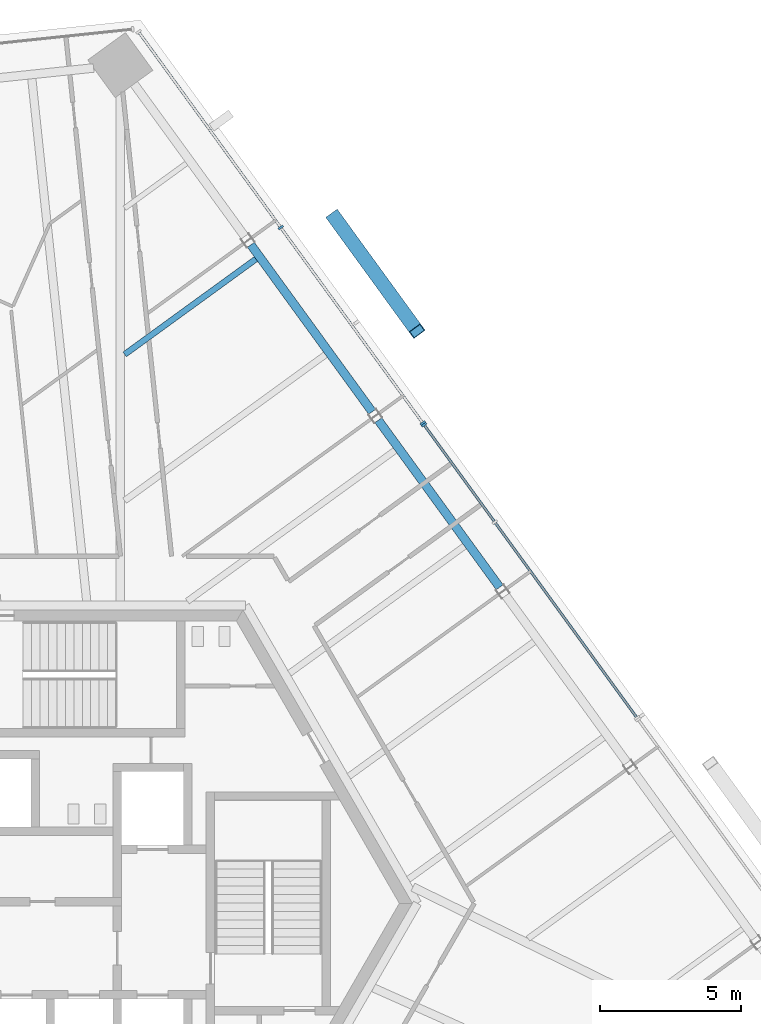
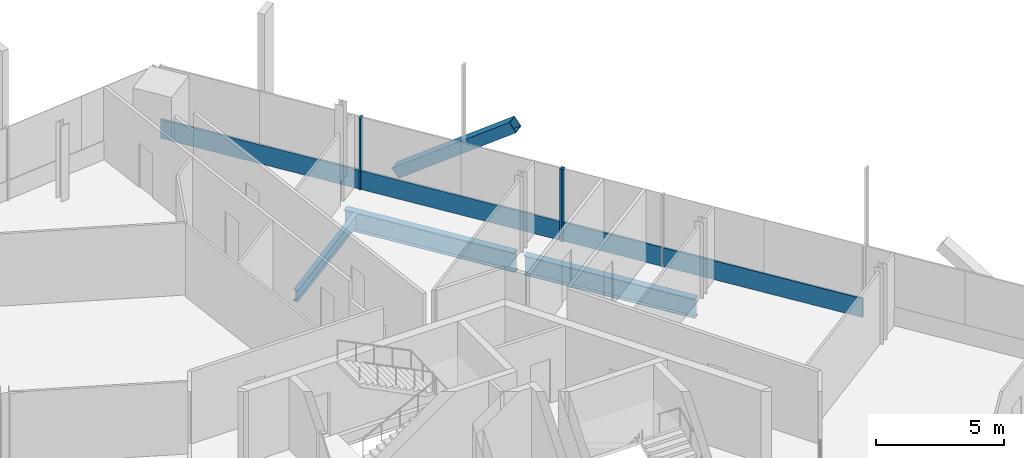
# One storey, part 8 of 20: 8 members, 3 beams, 2 elements without a shape of their own.
"""IFC4 building model written with IfcOpenShell, lengths in metres."""

from ifc_helpers import new_model, si_unit, direction, frame, origin, origin_2d, place, context, subcontext, project, spatial, rectangle, hollow_rectangle, i_section, extrude, source, transform, mapped, material, material_profile, profile_set, type_object, element, aggregate, save


model = new_model("IFC4")

# Units and contexts
model_context = context("Model", 3, precision=1e-05, world=origin(), true_north=direction((0.0, 1.0)))
body_context = subcontext(model_context, "Body", "Model", "MODEL_VIEW")
ifc_project = project(units=[si_unit("LENGTHUNIT", "METRE"), si_unit("AREAUNIT", "SQUARE_METRE"), si_unit("VOLUMEUNIT", "CUBIC_METRE"), si_unit("PLANEANGLEUNIT", "RADIAN"), si_unit("MASSUNIT", "GRAM", prefix="KILO")], contexts=[model_context])

# Site, building, storey
site_placement = place(None, origin())
site = spatial("IfcSite", under=ifc_project, at=site_placement, CompositionType="ELEMENT")
building_placement = place(site_placement, origin())
building = spatial("IfcBuilding", under=site, at=building_placement, Name="Triune Harvest Tower", CompositionType="ELEMENT")
storey_placement = place(building_placement, frame((0.0, 0.0, 226.89990234375)))
storey = spatial("IfcBuildingStorey", under=building, at=storey_placement, Name="L59", CompositionType="ELEMENT", Elevation=226.89990234375)

# Beams
ifc_material_1 = material(Name="Steel ASTM A992 Gr 50", Category="steel")
ifc_material_profile_1 = material_profile(ifc_material_1, i_section(OverallWidth=0.3046875, OverallDepth=0.914306640625, WebThickness=0.0166015625, FlangeThickness=0.02587890625, at=origin_2d()), Name="W36x160")
ifc_profile_set_1 = profile_set([ifc_material_profile_1], Name="Steel ASTM A992 Gr 50")
beam_type_1 = type_object("IfcBeamType", Name="SB-1 Spandrel beam W36x160", PredefinedType="SPANDREL", material=ifc_profile_set_1)
shared_shape_1 = source(origin(), body_context, "Body", "SweptSolid", [
    extrude(i_section(OverallWidth=0.3046875, OverallDepth=0.914306640625, WebThickness=0.0166015625, FlangeThickness=0.02587890625, at=origin_2d()), origin(), (0.0, 0.0, 1.0), 7.31103515625),
])
for number, where, z_axis, x_axis, name in (
    (1, (15.091552734375, 11.1923828125, -0.6171875), (-0.587786436325, 0.809016134124, 0.0), (-0.809016134124, -0.587786436325, 0.0), "beam/L59/SB4"),
    (2, (10.57763671875, 17.405029296875, -0.6171875), (-0.587786436325, 0.809016134124, 0.0), (-0.809016134124, -0.587786436325, 0.0), "beam/L59/SB5"),
):
    element("IfcBeam", number, at=place(storey_placement, frame(where, z_axis=z_axis, x_axis=x_axis)), inside=storey, type_object=beam_type_1, Name=name, PredefinedType="SPANDREL", context=body_context, shape_type="MappedRepresentation", body=[
        mapped(shared_shape_1, transform((0.0, 0.0, 0.0), scale=1.0)),
    ])
ifc_material_2 = material(Name="Steel ASTM A992 Gr 50", Category="steel")
ifc_material_profile_2 = material_profile(ifc_material_2, i_section(OverallWidth=0.2099609375, OverallDepth=0.535888671875, WebThickness=0.010986328125, FlangeThickness=0.017333984375, at=origin_2d()), Name="W21x68")
ifc_profile_set_2 = profile_set([ifc_material_profile_2], Name="Steel ASTM A992 Gr 50")
beam_type_2 = type_object("IfcBeamType", Name="JT-2 Floor joist W21x68", PredefinedType="JOIST", material=ifc_profile_set_2)
shared_shape_2 = source(origin(), body_context, "Body", "SweptSolid", [
    extrude(i_section(OverallWidth=0.2099609375, OverallDepth=0.535888671875, WebThickness=0.010986328125, FlangeThickness=0.017333984375, at=origin_2d()), origin(), (0.0, 0.0, 1.0), 5.745849609375),
])
beam_placement = place(storey_placement, frame((6.458984375, 22.814453125, -0.427978515625), z_axis=(-0.809024464979, -0.587774969751, 0.0), x_axis=(0.587774969751, -0.809024464979, 0.0)))
element("IfcBeam", 3, at=beam_placement, inside=storey, type_object=beam_type_2, Name="beam/L59/JT9", PredefinedType="JOIST", context=body_context, shape_type="MappedRepresentation", body=[
    mapped(shared_shape_2, transform((0.0, 0.0, 0.0), scale=1.0)),
])

# Member
ifc_material_3 = material(Name="Steel ASTM A572 Gr 50", Category="steel")
ifc_material_profile_3 = material_profile(ifc_material_3, hollow_rectangle(XDim=0.5, YDim=0.5, WallThickness=0.030029296875, at=origin_2d()), Name="Box 500x500x30")
ifc_profile_set_3 = profile_set([ifc_material_profile_3], Name="Steel ASTM A572 Gr 50")
member_type_1 = type_object("IfcMemberType", Name="BR-3 Brace Box 500x500x30", PredefinedType="BRACE", material=ifc_profile_set_3)
shared_shape_3 = source(origin(), body_context, "Body", "SweptSolid", [
    extrude(hollow_rectangle(XDim=0.5, YDim=0.5, WallThickness=0.030029296875, at=origin_2d()), origin(), (0.0, 0.0, 1.0), 6.1708984375),
])
member_1_placement = place(storey_placement, frame((9.220947265625, 24.317626953125, 0.0), z_axis=(0.477376427462, -0.657075062762, 0.583407326318), x_axis=(0.809026684069, 0.587771915341, 0.0)))
element("IfcMember", 4, at=member_1_placement, inside=storey, type_object=member_type_1, Name="brace/B6-F1/d2/3", PredefinedType="BRACE", context=body_context, shape_type="MappedRepresentation", body=[
    mapped(shared_shape_3, transform((0.0, 0.0, 0.0), scale=1.0)),
])

# Curtain wall, member
ifc_material_4 = material(Name="Aluminium bronze anodised", Category="aluminium")
curtain_wall_type_1 = type_object("IfcCurtainWallType", Name="CW-1 Tower stick curtain wall", PredefinedType="NOTDEFINED", material=ifc_material_4)
curtain_wall_1_placement = place(storey_placement, origin())
curtain_wall_1 = element("IfcCurtainWall", 5, at=curtain_wall_1_placement, inside=storey, type_object=curtain_wall_type_1, Name="CW-1 B6-F1 L59 run 1001")
ifc_material_5 = material(Name="Aluminium bronze anodised", Category="aluminium")
ifc_material_profile_4 = material_profile(ifc_material_5, rectangle(XDim=0.199951171875, YDim=0.074951171875, at=origin_2d()), Name="MU-1 mullion 75 x 200")
ifc_profile_set_4 = profile_set([ifc_material_profile_4], Name="Aluminium bronze anodised")
member_type_2 = type_object("IfcMemberType", Name="MU-1 mullion 75 x 200", PredefinedType="MULLION", material=ifc_profile_set_4)
shared_shape_4 = source(origin(), body_context, "Body", "SweptSolid", [
    extrude(rectangle(XDim=0.199951171875, YDim=0.074951171875, at=origin_2d()), origin(), (0.0, 0.0, 1.0), 3.440185546875),
])
member_2_placement = place(storey_placement, frame((12.4140625, 16.945556640625, 0.0), z_axis=(0.0, 0.0, 1.0), x_axis=(-0.809017576253, -0.587784451405, 0.0)))
member_2 = element("IfcMember", 6, at=member_2_placement, type_object=member_type_2, Name="CW-1 mullion B6-F1 1001.4", PredefinedType="MULLION", context=body_context, shape_type="MappedRepresentation", body=[
    mapped(shared_shape_4, transform((0.0, 0.0, 0.0), scale=1.0)),
])

# Curtain wall, members
ifc_material_6 = material(Name="Aluminium bronze anodised", Category="aluminium")
curtain_wall_type_2 = type_object("IfcCurtainWallType", Name="CW-7 Tower stick curtain wall with insulated spandrel infill", PredefinedType="NOTDEFINED", material=ifc_material_6)
curtain_wall_2_placement = place(storey_placement, origin())
curtain_wall_2 = element("IfcCurtainWall", 7, at=curtain_wall_2_placement, inside=storey, type_object=curtain_wall_type_2, Name="CW-7 B6-F1 L59 run 2001")
member_3_placement = place(storey_placement, frame((12.369873046875, 17.00634765625, 0.0), z_axis=(0.0, 0.0, 1.0), x_axis=(-0.809016356822, -0.587786129808, 0.0)))
member_3 = element("IfcMember", 8, at=member_3_placement, type_object=member_type_2, Name="CW-7 mullion B6-F1 2001.1", PredefinedType="MULLION", context=body_context, shape_type="MappedRepresentation", body=[
    mapped(shared_shape_4, transform((0.0, 0.0, 0.0), scale=1.0)),
])
member_4_placement = place(storey_placement, frame((7.3369140625, 23.93359375, 0.0), z_axis=(0.0, 0.0, 1.0), x_axis=(-0.809016356822, -0.587786129808, 0.0)))
member_4 = element("IfcMember", 9, at=member_4_placement, type_object=member_type_2, Name="CW-7 mullion B6-F1 2001.3", PredefinedType="MULLION", context=body_context, shape_type="MappedRepresentation", body=[
    mapped(shared_shape_4, transform((0.0, 0.0, 0.0), scale=1.0)),
])

# Member
ifc_material_7 = material(Name="Aluminium bronze anodised", Category="aluminium")
ifc_material_profile_5 = material_profile(ifc_material_7, rectangle(XDim=0.090087890625, YDim=0.89990234375, at=origin_2d()), Name="TR-1 transom 90 x 900")
ifc_profile_set_5 = profile_set([ifc_material_profile_5], Name="Aluminium bronze anodised")
member_type_3 = type_object("IfcMemberType", Name="TR-1 transom 90 x 900", PredefinedType="USERDEFINED", material=ifc_profile_set_5)
shared_shape_5 = source(origin(), body_context, "Body", "SweptSolid", [
    extrude(rectangle(XDim=0.090087890625, YDim=0.89990234375, at=origin_2d()), origin(), (0.0, 0.0, 1.0), 8.487548828125),
])
member_5_placement = place(storey_placement, frame((19.930419921875, 6.600341796875, 0.4501953125), z_axis=(-0.587803916877, 0.809003433431, 0.0), x_axis=(-0.809003433431, -0.587803916877, 0.0)))
member_5 = element("IfcMember", 10, at=member_5_placement, type_object=member_type_3, Name="CW-1 transom B6-F1 1001.1", ObjectType="TRANSOM", PredefinedType="USERDEFINED", context=body_context, shape_type="MappedRepresentation", body=[
    mapped(shared_shape_5, transform((0.0, 0.0, 0.0), scale=1.0)),
])

shared_shape_6 = source(origin(), body_context, "Body", "SweptSolid", [
    extrude(rectangle(XDim=0.090087890625, YDim=0.89990234375, at=origin_2d()), origin(), (0.0, 0.0, 1.0), 4.1875),
])
member_6_placement = place(storey_placement, frame((14.8974609375, 13.527587890625, 0.4501953125), z_axis=(-0.587804174656, 0.809003246135, 0.0), x_axis=(-0.809003246135, -0.587804174656, 0.0)))
member_6 = element("IfcMember", 11, at=member_6_placement, type_object=member_type_3, Name="CW-1 transom B6-F1 1001.2", ObjectType="TRANSOM", PredefinedType="USERDEFINED", context=body_context, shape_type="MappedRepresentation", body=[
    mapped(shared_shape_6, transform((0.0, 0.0, 0.0), scale=1.0)),
])

aggregate(curtain_wall_1, [member_2, member_5, member_6])

shared_shape_7 = source(origin(), body_context, "Body", "SweptSolid", [
    extrude(rectangle(XDim=0.090087890625, YDim=0.89990234375, at=origin_2d()), origin(), (0.0, 0.0, 1.0), 8.4873046875),
])
member_7_placement = place(storey_placement, frame((12.347900390625, 17.03662109375, 0.4501953125), z_axis=(-0.587785090378, 0.809017112013, 0.0), x_axis=(-0.809017112013, -0.587785090378, 0.0)))
member_7 = element("IfcMember", 12, at=member_7_placement, type_object=member_type_3, Name="CW-7 transom B6-F1 2001.1", ObjectType="TRANSOM", PredefinedType="USERDEFINED", context=body_context, shape_type="MappedRepresentation", body=[
    mapped(shared_shape_7, transform((0.0, 0.0, 0.0), scale=1.0)),
])

member_8_placement = place(storey_placement, frame((7.31494140625, 23.9638671875, 0.4501953125), z_axis=(-0.587785090378, 0.809017112013, 0.0), x_axis=(-0.809017112013, -0.587785090378, 0.0)))
member_8 = element("IfcMember", 13, at=member_8_placement, type_object=member_type_3, Name="CW-7 transom B6-F1 2001.2", ObjectType="TRANSOM", PredefinedType="USERDEFINED", context=body_context, shape_type="MappedRepresentation", body=[
    mapped(shared_shape_7, transform((0.0, 0.0, 0.0), scale=1.0)),
])

aggregate(curtain_wall_2, [member_3, member_4, member_7, member_8])

save(model, "model.ifc")
